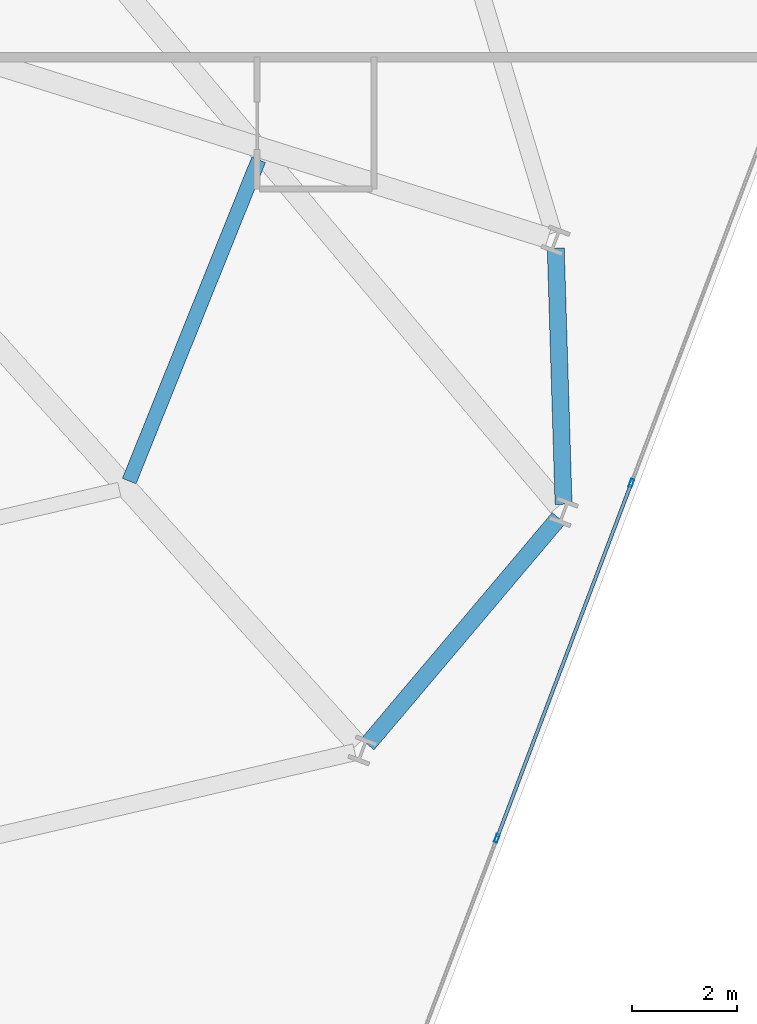
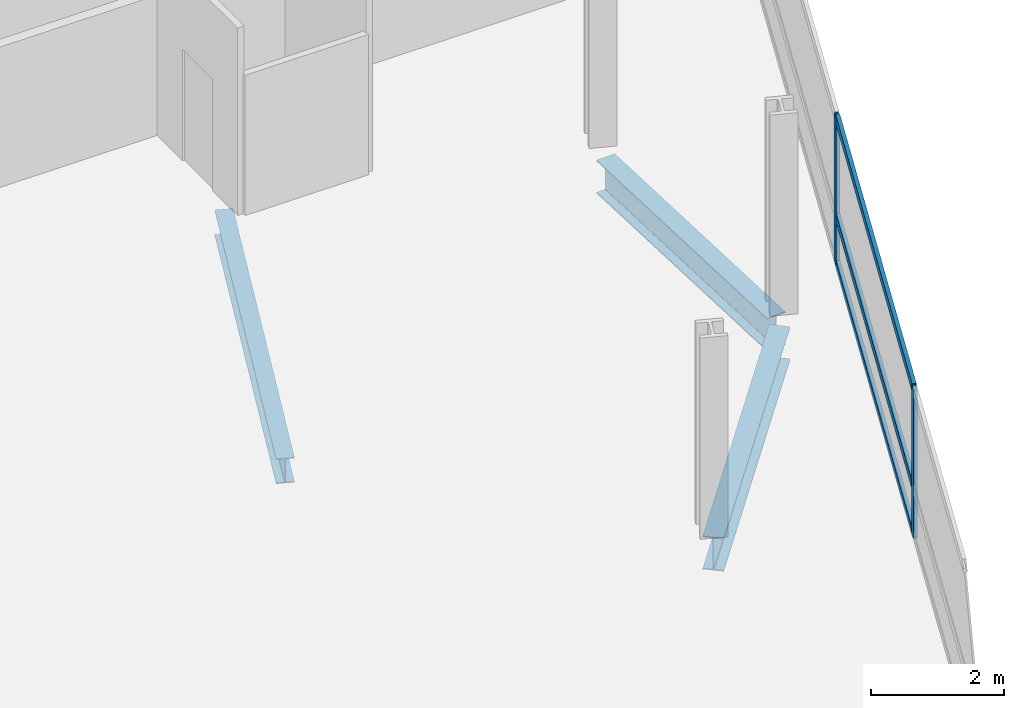
# One storey, part 11 of 25: 5 members, 3 beams, 1 element without a shape of its own.
"""IFC4 building model written with IfcOpenShell, lengths in metres."""

import ifcopenshell
import ifcopenshell.guid

model = None  # the IFC model being written
_history = None  # IfcOwnerHistory: only IFC2X3 demands one
_inside = {}  # id of a spatial element -> (the spatial element, [elements in it])
_under = {}  # id of a project, library or spatial element -> (it, [spatial elements below it])
_declared = {}  # id of a project -> (the project, [libraries it declares])
_typed = {}  # id of a type object -> (the type object, [elements of that type])
_made_of = {}  # id of a material, layer set ... -> (it, [elements and type objects made of it])


def new_model(schema):
    """Start an empty IFC model of exactly this schema.

    Asked for "IFC4X3", IfcOpenShell would pick the latest addendum, in which some entities
    have other attributes; the version numbers below select the first issue.
    IFC2X3 requires an IfcOwnerHistory on every rooted entity: one is made here for all.
    """
    global model, _history
    if schema == "IFC4X3":
        model = ifcopenshell.file(schema_version=(4, 3, 0, 0))
    else:
        model = ifcopenshell.file(schema=schema)
    _inside.clear()
    _under.clear()
    _declared.clear()
    _typed.clear()
    _made_of.clear()
    _history = None
    if model.schema == "IFC2X3":
        org = make("IfcOrganization", Name="unknown")
        user = make(
            "IfcPersonAndOrganization",
            ThePerson=make("IfcPerson", FamilyName="unknown"),
            TheOrganization=org,
        )
        app = make(
            "IfcApplication",
            ApplicationDeveloper=org,
            Version="unknown",
            ApplicationFullName="unknown",
            ApplicationIdentifier="unknown",
        )
        _history = make(
            "IfcOwnerHistory",
            OwningUser=user,
            OwningApplication=app,
            ChangeAction="ADDED",
            CreationDate=0,
        )
    return model


def make(cls, **values):
    """One entity of the class cls with the attributes given. An attribute that is None is left unset."""
    return model.create_entity(
        cls, **{name: value for name, value in values.items() if value is not None}
    )


def rooted(cls, **values):
    """An entity with a GlobalId (a new one), such as an element, a storey or a relation."""
    return make(cls, GlobalId=ifcopenshell.guid.new(), OwnerHistory=_history, **values)


def si_unit(unit_type, name, prefix=None):
    """IfcSIUnit, for example si_unit("LENGTHUNIT", "METRE", prefix="MILLI")."""
    return make("IfcSIUnit", UnitType=unit_type, Prefix=prefix, Name=name)


def assignment(units):
    """IfcUnitAssignment: the units of a project."""
    return None if units is None else make("IfcUnitAssignment", Units=units)


def point(xyz):
    """IfcCartesianPoint."""
    return None if xyz is None else make("IfcCartesianPoint", Coordinates=xyz)


def direction(xyz):
    """IfcDirection."""
    return None if xyz is None else make("IfcDirection", DirectionRatios=xyz)


def frame(location, z_axis=None, x_axis=None):
    """IfcAxis2Placement3D, a coordinate frame: its origin and axes. An axis left out is left unset."""
    return make(
        "IfcAxis2Placement3D",
        Location=point(location),
        Axis=direction(z_axis),
        RefDirection=direction(x_axis),
    )


def frame_2d(location, x_axis=None):
    """IfcAxis2Placement2D, a coordinate frame in the plane: its origin and x axis."""
    return make(
        "IfcAxis2Placement2D", Location=point(location), RefDirection=direction(x_axis)
    )


def origin():
    """The frame at (0, 0, 0) with its axes left unset."""
    return frame((0.0, 0.0, 0.0))


def origin_2d():
    """The frame at (0, 0) in the plane with its x axis left unset."""
    return frame_2d((0.0, 0.0))


def place(relative_to, where):
    """IfcLocalPlacement: puts the frame where relative to a parent placement (None: the world)."""
    return make(
        "IfcLocalPlacement", PlacementRelTo=relative_to, RelativePlacement=where
    )


def context(
    kind, dimensions, precision=None, world=None, true_north=None, identifier=None
):
    """IfcGeometricRepresentationContext, for example the 3D "Model" context."""
    return make(
        "IfcGeometricRepresentationContext",
        ContextIdentifier=identifier,
        ContextType=kind,
        CoordinateSpaceDimension=dimensions,
        Precision=precision,
        WorldCoordinateSystem=world,
        TrueNorth=true_north,
    )


def subcontext(parent, identifier, kind, view, scale=None):
    """IfcGeometricRepresentationSubContext, for example "Body" below "Model"."""
    return make(
        "IfcGeometricRepresentationSubContext",
        ContextIdentifier=identifier,
        ContextType=kind,
        ParentContext=parent,
        TargetScale=scale,
        TargetView=view,
    )


def project(units=None, contexts=None):
    """IfcProject with its units and contexts."""
    return rooted(
        "IfcProject",
        Name="project",
        RepresentationContexts=contexts,
        UnitsInContext=assignment(units),
    )


def spatial(cls, under=None, at=None, **own):
    """A site, building, storey or space (cls), placed at a placement, below another one or the project."""
    s = rooted(cls, ObjectPlacement=at, **own)
    if under is not None:
        _under.setdefault(under.id(), (under, []))[1].append(s)
    return s


def profile(cls, at=None, kind="AREA", **sizes):
    """A parametric profile (cls). Its sizes go by their IFC names, for example OverallWidth=200.0."""
    return make(cls, ProfileType=kind, Position=at, **sizes)


def hollow_rectangle(**sizes):
    """IfcRectangleHollowProfileDef."""
    return profile("IfcRectangleHollowProfileDef", **sizes)


def i_section(**sizes):
    """IfcIShapeProfileDef."""
    return profile("IfcIShapeProfileDef", **sizes)


def extrude(swept, where, along, depth):
    """IfcExtrudedAreaSolid: the profile swept, set in the frame where, extruded along a direction by depth."""
    return make(
        "IfcExtrudedAreaSolid",
        SweptArea=swept,
        Position=where,
        ExtrudedDirection=direction(along),
        Depth=depth,
    )


def shape(context_of_items, identifier, shape_type, items):
    """IfcShapeRepresentation: the items that make up one representation, for example the "Body"."""
    return make(
        "IfcShapeRepresentation",
        ContextOfItems=context_of_items,
        RepresentationIdentifier=identifier,
        RepresentationType=shape_type,
        Items=items,
    )


def material(Name=None, Category=None):
    """IfcMaterial."""
    return make("IfcMaterial", Name=Name, Category=Category)


def layer(
    of_material, thickness, ventilated=None, Name=None, Category=None, Priority=None
):
    """IfcMaterialLayer: one layer of a wall or slab, of a material (None: an air gap)."""
    return make(
        "IfcMaterialLayer",
        Material=of_material,
        LayerThickness=thickness,
        IsVentilated=ventilated,
        Name=Name,
        Category=Category,
        Priority=Priority,
    )


def layer_set(layers, Name=None):
    """IfcMaterialLayerSet."""
    return make("IfcMaterialLayerSet", MaterialLayers=layers, LayerSetName=Name)


def material_profile(
    of_material, cross_section, Name=None, Category=None, Priority=None
):
    """IfcMaterialProfile: a cross section and its material."""
    return make(
        "IfcMaterialProfile",
        Name=Name,
        Material=of_material,
        Profile=cross_section,
        Priority=Priority,
        Category=Category,
    )


def profile_set(profiles, Name=None, composite=None):
    """IfcMaterialProfileSet."""
    return make(
        "IfcMaterialProfileSet",
        Name=Name,
        MaterialProfiles=profiles,
        CompositeProfile=composite,
    )


def made_of(thing, what):
    """Note that an element or type object is made of a material, layer set ...; save() writes the relation."""
    if what is not None:
        _made_of.setdefault(what.id(), (what, []))[1].append(thing)
    return thing


def type_object(cls, material=None, **own):
    """A type object (cls), such as IfcWallType, which elements share."""
    return made_of(rooted(cls, **own), material)


def element(
    cls,
    number,
    at=None,
    inside=None,
    cuts=None,
    type_object=None,
    material=None,
    context=None,
    identifier="Body",
    shape_type=None,
    held_by="IfcProductDefinitionShape",
    body=None,
    shapes=None,
    **own,
):
    """One element of the class cls, such as IfcWall. Its Tag is "e" and its number.

    at: its placement. inside: the storey or other place that contains it. cuts: it is an
    opening in that element (IfcRelVoidsElement). A single representation is given by context,
    identifier, shape_type and body (its items); several are given by shapes. held_by: the class
    of the entity that holds the representations. save() writes the other relations.
    """
    e = rooted(cls, Tag="e%d" % number, ObjectPlacement=at, **own)
    if body is not None:
        shapes = [shape(context, identifier, shape_type, body)]
    if shapes is not None:
        e.Representation = make(held_by, Representations=shapes)
    if inside is not None:
        _inside.setdefault(inside.id(), (inside, []))[1].append(e)
    if cuts is not None:
        rooted(
            "IfcRelVoidsElement", RelatingBuildingElement=cuts, RelatedOpeningElement=e
        )
    if type_object is not None:
        _typed.setdefault(type_object.id(), (type_object, []))[1].append(e)
    return made_of(e, material)


def aggregate(whole, parts):
    """IfcRelAggregates: a whole, such as a stair, and the parts it consists of."""
    return rooted("IfcRelAggregates", RelatingObject=whole, RelatedObjects=parts)


def save(model, path):
    """Write the relations noted so far, then the file.

    IfcRelAggregates (storeys below a building ...), IfcRelContainedInSpatialStructure (elements
    in a storey), IfcRelDefinesByType, IfcRelAssociatesMaterial and IfcRelDeclares: one each for
    every whole, place, type object, material and project.
    """
    for whole, parts in _under.values():
        aggregate(whole, parts)
    for where, things in _inside.values():
        rooted(
            "IfcRelContainedInSpatialStructure",
            RelatedElements=things,
            RelatingStructure=where,
        )
    for kind, things in _typed.values():
        rooted("IfcRelDefinesByType", RelatedObjects=things, RelatingType=kind)
    for what, things in _made_of.values():
        rooted("IfcRelAssociatesMaterial", RelatedObjects=things, RelatingMaterial=what)
    for by, libraries in _declared.values():
        rooted("IfcRelDeclares", RelatingContext=by, RelatedDefinitions=libraries)
    model.write(path)


model = new_model("IFC4")

# Units and contexts
model_context = context("Model", 3, precision=1e-05, world=origin(), true_north=direction((0.0, 1.0)))
body_context = subcontext(model_context, "Body", "Model", "MODEL_VIEW")
ifc_project = project(units=[si_unit("LENGTHUNIT", "METRE"), si_unit("AREAUNIT", "SQUARE_METRE"), si_unit("VOLUMEUNIT", "CUBIC_METRE"), si_unit("PLANEANGLEUNIT", "RADIAN"), si_unit("MASSUNIT", "GRAM", prefix="KILO")], contexts=[model_context])

# Site, building, storey
site_placement = place(None, origin())
site = spatial("IfcSite", under=ifc_project, at=site_placement, CompositionType="ELEMENT")
building_placement = place(site_placement, origin())
building = spatial("IfcBuilding", under=site, at=building_placement, Name="Varnelok Gate Tower", CompositionType="ELEMENT")
storey_placement = place(building_placement, frame((0.0, 0.0, 105.800048828125)))
storey = spatial("IfcBuildingStorey", under=building, at=storey_placement, Name="L26", CompositionType="ELEMENT", Elevation=105.800048828125)

# Beams
ifc_material_1 = material(Name="Structural Steel ASTM A992 Grade 50", Category="steel")
ifc_material_profile_1 = material_profile(ifc_material_1, i_section(OverallWidth=0.280029296875, OverallDepth=0.462890625, WebThickness=0.0107421875, FlangeThickness=0.017333984375, FilletRadius=0.014892578125, at=origin_2d()), Name="W18X76")
ifc_profile_set_1 = profile_set([ifc_material_profile_1], Name="Structural Steel ASTM A992 Grade 50")
beam_type_1 = type_object("IfcBeamType", Name="BM-JST-W18X76", PredefinedType="JOIST", material=ifc_profile_set_1)
beam_1_placement = place(storey_placement, frame((63.18896484375, 8.764404296875, -0.4814453125), z_axis=(0.373741616313, 0.927532858844, 0.0), x_axis=(-0.927532858844, 0.373741616313, 0.0)))
element("IfcBeam", 1, at=beam_1_placement, inside=storey, type_object=beam_type_1, Name="L26 Sector Floor Joist 6", PredefinedType="JOIST", context=body_context, shape_type="SweptSolid", body=[
    extrude(i_section(OverallWidth=0.280029296875, OverallDepth=0.462890625, WebThickness=0.0107421875, FlangeThickness=0.017333984375, FilletRadius=0.014892578125, at=origin_2d()), origin(), (0.0, 0.0, 1.0), 6.603515625),
])
ifc_material_profile_2 = material_profile(ifc_material_1, i_section(OverallWidth=0.323974609375, OverallDepth=0.611083984375, WebThickness=0.0126953125, FlangeThickness=0.01904296875, FilletRadius=0.01806640625, at=origin_2d()), Name="W24X104")
ifc_profile_set_2 = profile_set([ifc_material_profile_2], Name="Structural Steel ASTM A992 Grade 50")
beam_type_2 = type_object("IfcBeamType", Name="BM-SPN-W24X104", PredefinedType="SPANDREL", material=ifc_profile_set_2)
beam_2_placement = place(storey_placement, frame((67.7333984375, 3.7421875, -0.5556640625), z_axis=(0.645380340265, 0.763861385592, 0.0), x_axis=(-0.763861385592, 0.645380340265, 0.0)))
element("IfcBeam", 2, at=beam_2_placement, inside=storey, type_object=beam_type_2, Name="L26 Perimeter Spandrel Beam 6", PredefinedType="SPANDREL", context=body_context, shape_type="SweptSolid", body=[
    extrude(i_section(OverallWidth=0.323974609375, OverallDepth=0.611083984375, WebThickness=0.0126953125, FlangeThickness=0.01904296875, FilletRadius=0.01806640625, at=origin_2d()), origin(), (0.0, 0.0, 1.0), 5.650146484375),
])
beam_3_placement = place(storey_placement, frame((71.471923828125, 8.322509765625, -0.5556640625), z_axis=(-0.030393553869, 0.999538009224, 0.0), x_axis=(-0.999538009224, -0.030393553869, 0.0)))
element("IfcBeam", 3, at=beam_3_placement, inside=storey, type_object=beam_type_2, Name="L26 Perimeter Spandrel Beam 7", PredefinedType="SPANDREL", context=body_context, shape_type="SweptSolid", body=[
    extrude(i_section(OverallWidth=0.323974609375, OverallDepth=0.611083984375, WebThickness=0.0126953125, FlangeThickness=0.01904296875, FilletRadius=0.01806640625, at=origin_2d()), origin(), (0.0, 0.0, 1.0), 4.8837890625),
])

# Curtain wall, members
ifc_material_2 = material(Name="Anodized Aluminum Alloy 6063-T6", Category="aluminium")
ifc_layer = layer(ifc_material_2, 0.179931640625)
ifc_layer_set = layer_set([ifc_layer], Name="Anodized Aluminum Alloy 6063-T6")
curtain_wall_type = type_object("IfcCurtainWallType", Name="CW3-HOTEL-VISION", PredefinedType="USERDEFINED", material=ifc_layer_set)
curtain_wall_placement = place(storey_placement, origin())
curtain_wall = element("IfcCurtainWall", 4, at=curtain_wall_placement, inside=storey, type_object=curtain_wall_type, Name="L26 East End Vision Curtain Wall", ObjectType="UNITISED CURTAIN WALL", PredefinedType="USERDEFINED")
ifc_material_profile_3 = material_profile(ifc_material_2, hollow_rectangle(XDim=0.06494140625, YDim=0.159912109375, WallThickness=0.00390625, at=origin_2d()), Name="ALU160X65X4")
ifc_profile_set_3 = profile_set([ifc_material_profile_3], Name="Anodized Aluminum Alloy 6063-T6")
member_type_1 = type_object("IfcMemberType", Name="CW-MULL-160", PredefinedType="MULLION", material=ifc_profile_set_3)
member_1_placement = place(storey_placement, frame((72.7646484375, 8.72216796875, 0.0), z_axis=(0.0, 0.0, 1.0), x_axis=(0.935221323688, -0.354063660545, 0.0)))
member_1 = element("IfcMember", 5, at=member_1_placement, type_object=member_type_1, Name="CW3 mullion 4", PredefinedType="MULLION", context=body_context, shape_type="SweptSolid", body=[
    extrude(hollow_rectangle(XDim=0.06494140625, YDim=0.159912109375, WallThickness=0.00390625, at=origin_2d()), origin(), (0.0, 0.0, 1.0), 2.72998046875),
])
member_2_placement = place(storey_placement, frame((70.201171875, 1.951171875, 0.0), z_axis=(0.0, 0.0, 1.0), x_axis=(0.935221323688, -0.354063660545, 0.0)))
member_2 = element("IfcMember", 6, at=member_2_placement, type_object=member_type_1, Name="CW3 mullion 5", PredefinedType="MULLION", context=body_context, shape_type="SweptSolid", body=[
    extrude(hollow_rectangle(XDim=0.06494140625, YDim=0.159912109375, WallThickness=0.00390625, at=origin_2d()), origin(), (0.0, 0.0, 1.0), 2.72998046875),
])
ifc_material_profile_4 = material_profile(ifc_material_2, hollow_rectangle(XDim=0.06494140625, YDim=0.159912109375, WallThickness=0.00390625, at=origin_2d()), Name="ALU160X65X4")
ifc_profile_set_4 = profile_set([ifc_material_profile_4], Name="Anodized Aluminum Alloy 6063-T6")
member_type_2 = type_object("IfcMemberType", Name="CW-TRAN-160", PredefinedType="USERDEFINED", material=ifc_profile_set_4)
member_3_placement = place(storey_placement, frame((72.753173828125, 8.691650390625, 0.032470703125), z_axis=(-0.354078724634, -0.935215620465, 0.0), x_axis=(0.935215620465, -0.354078724634, 0.0)))
member_3 = element("IfcMember", 7, at=member_3_placement, type_object=member_type_2, Name="CW3 transom 4.1", ObjectType="TRANSOM", PredefinedType="USERDEFINED", context=body_context, shape_type="SweptSolid", body=[
    extrude(hollow_rectangle(XDim=0.06494140625, YDim=0.159912109375, WallThickness=0.00390625, at=origin_2d()), origin(), (0.0, 0.0, 1.0), 7.175048828125),
])
member_4_placement = place(storey_placement, frame((72.753173828125, 8.691650390625, 0.89990234375), z_axis=(-0.354078724634, -0.935215620465, 0.0), x_axis=(0.935215620465, -0.354078724634, 0.0)))
member_4 = element("IfcMember", 8, at=member_4_placement, type_object=member_type_2, Name="CW3 transom 4.2", ObjectType="TRANSOM", PredefinedType="USERDEFINED", context=body_context, shape_type="SweptSolid", body=[
    extrude(hollow_rectangle(XDim=0.06494140625, YDim=0.159912109375, WallThickness=0.00390625, at=origin_2d()), origin(), (0.0, 0.0, 1.0), 7.175048828125),
])
member_5_placement = place(storey_placement, frame((72.753173828125, 8.691650390625, 2.697509765625), z_axis=(-0.354078724634, -0.935215620465, 0.0), x_axis=(0.935215620465, -0.354078724634, 0.0)))
member_5 = element("IfcMember", 9, at=member_5_placement, type_object=member_type_2, Name="CW3 transom 4.3", ObjectType="TRANSOM", PredefinedType="USERDEFINED", context=body_context, shape_type="SweptSolid", body=[
    extrude(hollow_rectangle(XDim=0.06494140625, YDim=0.159912109375, WallThickness=0.00390625, at=origin_2d()), origin(), (0.0, 0.0, 1.0), 7.175048828125),
])
aggregate(curtain_wall, [member_1, member_2, member_3, member_4, member_5])

save(model, "model.ifc")
